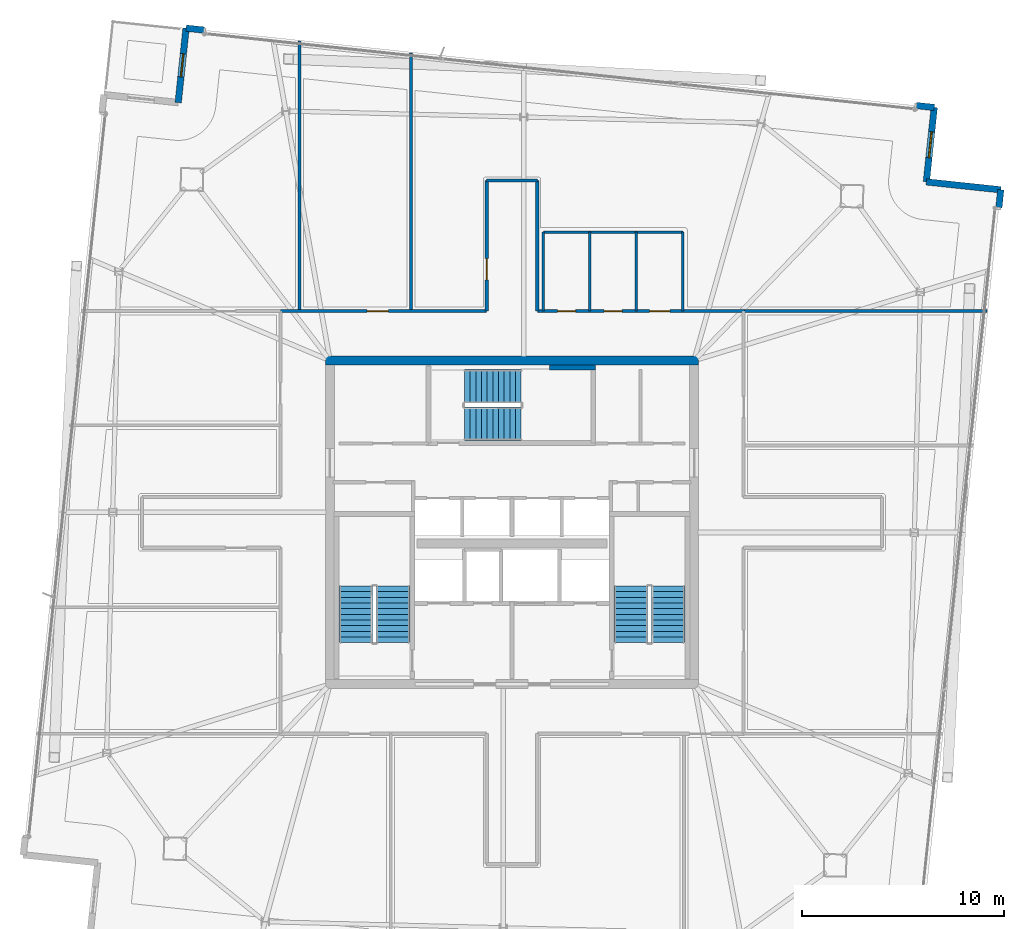
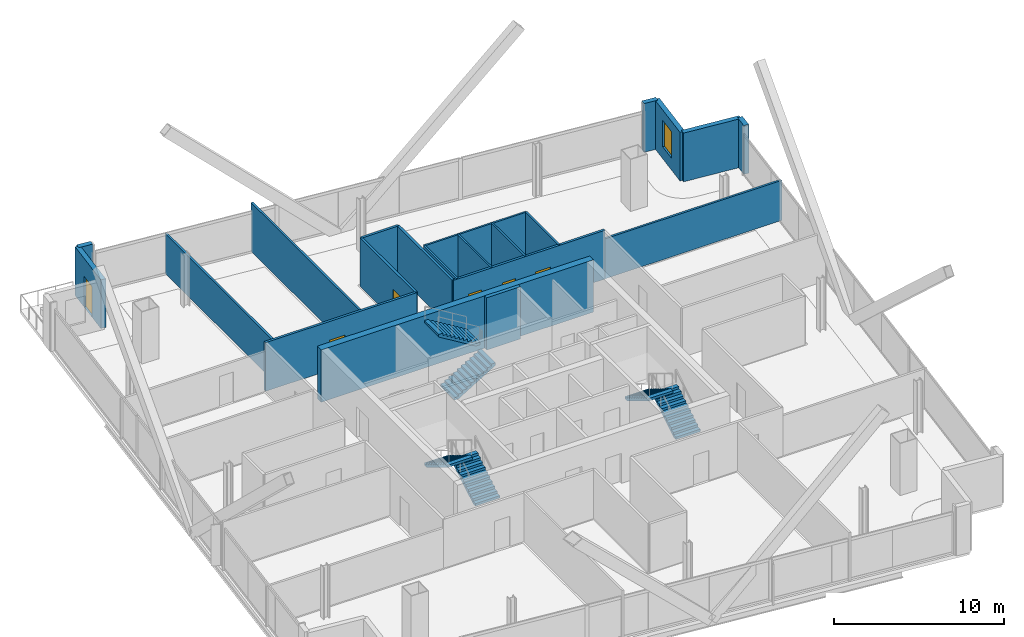
# One storey, part 21 of 24: 21 walls, 6 doors, 6 stair flights, 1 window, 7 openings, 3 elements without a shape of their own.
"""IFC4 building model written with IfcOpenShell, lengths in metres."""

from ifc_helpers import new_model, si_unit, direction, frame, frame_2d, origin, place, context, subcontext, project, spatial, polyline, rectangle, outline, extrude, material, layer, layer_set, type_object, element, fill, aggregate, save


model = new_model("IFC4")

# Units and contexts
model_context = context("Model", 3, precision=1e-05, world=origin(), true_north=direction((0.0, 1.0)))
body_context = subcontext(model_context, "Body", "Model", "MODEL_VIEW")
ifc_project = project(units=[si_unit("LENGTHUNIT", "METRE"), si_unit("AREAUNIT", "SQUARE_METRE"), si_unit("VOLUMEUNIT", "CUBIC_METRE"), si_unit("PLANEANGLEUNIT", "RADIAN"), si_unit("MASSUNIT", "GRAM", prefix="KILO")], contexts=[model_context])

# Site, building, storey
site_placement = place(None, origin())
site = spatial("IfcSite", under=ifc_project, at=site_placement, CompositionType="ELEMENT")
building_placement = place(site_placement, origin())
building = spatial("IfcBuilding", under=site, at=building_placement, Name="Haldenkirk Collegiate Tower", CompositionType="ELEMENT")
storey_placement = place(building_placement, frame((0.0, 0.0, 310.199951171875)))
storey = spatial("IfcBuildingStorey", under=building, at=storey_placement, Name="L78", CompositionType="ELEMENT", Elevation=310.199951171875)

# Walls
ifc_material_1 = material(Name="Concrete f'c 55 MPa", Category="concrete")
ifc_layer_1 = layer(ifc_material_1, 0.449951171875)
ifc_layer_set_1 = layer_set([ifc_layer_1], Name="Concrete f'c 55 MPa")
wall_type_1 = type_object("IfcWallType", Name="WL-CORE-450", PredefinedType="SHEAR", material=ifc_layer_set_1)
wall_1_placement = place(storey_placement, frame((26.77490234375, 34.0, 0.0), z_axis=(0.0, 0.0, 1.0), x_axis=(1.0, 0.0, 0.0)))
element("IfcWall", 1, at=wall_1_placement, inside=storey, type_object=wall_type_1, Name="L78 central core shear wall N", PredefinedType="SHEAR", context=body_context, shape_type="SweptSolid", body=[
    extrude(rectangle(XDim=18.4501953125, YDim=0.449951171875, at=frame_2d((9.22509765625, 0.0))), origin(), (0.0, 0.0, 1.0), 3.75),
])
ifc_material_2 = material(Name="Precast concrete f'c 40 MPa", Category="concrete")
ifc_layer_2 = layer(ifc_material_2, 0.320068359375)
ifc_layer_set_2 = layer_set([ifc_layer_2], Name="Precast concrete f'c 40 MPa")
wall_type_2 = type_object("IfcWallType", Name="WL-EXT-TWR-320", PredefinedType="STANDARD", material=ifc_layer_set_2)
wall_2_placement = place(storey_placement, frame((60.167724609375, 42.4443359375, 0.0), z_axis=(0.0, 0.0, 1.0), x_axis=(-0.10524958677, -0.994445837884, 0.0)))
element("IfcWall", 2, at=wall_2_placement, inside=storey, type_object=wall_type_2, Name="L78 precast corner pier SL", PredefinedType="STANDARD", context=body_context, shape_type="SweptSolid", body=[
    extrude(rectangle(XDim=0.89990234375, YDim=0.320068359375, at=frame_2d((0.449951171875, 0.0))), origin(), (0.0, 0.0, 1.0), 3.489990234375),
])
wall_3_placement = place(storey_placement, frame((56.48828125, 42.83447265625, 0.0), z_axis=(0.0, 0.0, 1.0), x_axis=(0.994425625033, -0.105440392064, 0.0)))
element("IfcWall", 3, at=wall_3_placement, inside=storey, type_object=wall_type_2, Name="L78 bronze precast notch wall 02", PredefinedType="STANDARD", context=body_context, shape_type="SweptSolid", body=[
    extrude(rectangle(XDim=3.699951171875, YDim=0.320068359375, at=frame_2d((1.85009765625, 0.0))), origin(), (0.0, 0.0, 1.0), 3.489990234375),
])

# Wall, opening, window
wall_4_placement = place(storey_placement, frame((56.87841796875, 46.513916015625, 0.0), z_axis=(0.0, 0.0, 1.0), x_axis=(-0.105440392064, -0.994425625033, 0.0)))
wall_4 = element("IfcWall", 4, at=wall_4_placement, inside=storey, type_object=wall_type_2, Name="L78 bronze precast notch wall 03", PredefinedType="STANDARD", context=body_context, shape_type="SweptSolid", body=[
    extrude(rectangle(XDim=3.699951171875, YDim=0.320068359375, at=frame_2d((1.85009765625, 0.0))), origin(), (0.0, 0.0, 1.0), 3.489990234375),
])
opening_1_placement = place(wall_4_placement, frame((1.199951171875, 0.0, 0.85009765625)))
opening_1 = element("IfcOpeningElement", 5, at=opening_1_placement, cuts=wall_4, Name="Opening W-08", PredefinedType="OPENING", context=body_context, shape_type="SweptSolid", body=[
    extrude(rectangle(XDim=1.300048828125, YDim=1.89990234375, at=frame_2d((0.64990234375, 0.949951171875))), frame((0.0, 0.169921875, 0.0), z_axis=(0.0, -1.0, 0.0), x_axis=(1.0, 0.0, 0.0)), (0.0, 0.0, 1.0), 0.340087890625),
])
ifc_material_3 = material(Name="Low-E argon triple insulating glass", Category="glass")
ifc_layer_3 = layer(ifc_material_3, 0.090087890625)
ifc_layer_set_3 = layer_set([ifc_layer_3], Name="Low-E argon triple insulating glass")
window_type = type_object("IfcWindowType", Name="WN-Z6-1300X1900", PartitioningType="SINGLE_PANEL", PredefinedType="WINDOW", material=ifc_layer_set_3)
window_placement = place(opening_1_placement, origin())
window = element("IfcWindow", 6, at=window_placement, inside=storey, type_object=window_type, Name="L78 precast-frame academic window 2", OverallHeight=1.89990234375, OverallWidth=1.300048828125, PartitioningType="SINGLE_PANEL", PredefinedType="WINDOW", context=body_context, shape_type="SweptSolid", body=[
    extrude(rectangle(XDim=1.300048828125, YDim=1.89990234375, at=frame_2d((0.64990234375, 0.949951171875))), frame((0.0, 0.030029296875, 0.0), z_axis=(0.0, -1.0, 0.0), x_axis=(1.0, 0.0, 0.0)), (0.0, 0.0, 1.0), 0.06005859375),
])
fill(opening_1, window)

# Walls
wall_5_placement = place(storey_placement, frame((19.885498046875, 50.4345703125, 0.0), z_axis=(0.0, 0.0, 1.0), x_axis=(0.994417410894, -0.105517832198, 0.0)))
element("IfcWall", 7, at=wall_5_placement, inside=storey, type_object=wall_type_2, Name="L78 precast corner pier EL", PredefinedType="STANDARD", context=body_context, shape_type="SweptSolid", body=[
    extrude(rectangle(XDim=0.900146484375, YDim=0.320068359375, at=frame_2d((0.4501953125, 0.0))), origin(), (0.0, 0.0, 1.0), 3.489990234375),
])
wall_6_placement = place(storey_placement, frame((55.9833984375, 46.608642578125, 0.0), z_axis=(0.0, 0.0, 1.0), x_axis=(0.994445837884, -0.10524958677, 0.0)))
element("IfcWall", 8, at=wall_6_placement, inside=storey, type_object=wall_type_2, Name="L78 precast corner pier ER", PredefinedType="STANDARD", context=body_context, shape_type="SweptSolid", body=[
    extrude(rectangle(XDim=0.89990234375, YDim=0.320068359375, at=frame_2d((0.449951171875, 0.0))), origin(), (0.0, 0.0, 1.0), 3.489990234375),
])

# Wall, opening, door
wall_7_placement = place(storey_placement, frame((19.49560546875, 46.755126953125, 0.0), z_axis=(0.0, 0.0, 1.0), x_axis=(0.105375142235, 0.994432541402, 0.0)))
wall_7 = element("IfcWall", 9, at=wall_7_placement, inside=storey, type_object=wall_type_2, Name="L78 bronze precast notch wall 05", PredefinedType="STANDARD", context=body_context, shape_type="SweptSolid", body=[
    extrude(rectangle(XDim=3.699951171875, YDim=0.320068359375, at=frame_2d((1.85009765625, 0.0))), origin(), (0.0, 0.0, 1.0), 3.489990234375),
])
opening_2_placement = place(wall_7_placement, frame((1.27490234375, 0.0, 0.0)))
opening_2 = element("IfcOpeningElement", 10, at=opening_2_placement, cuts=wall_7, Name="Opening D-ST11", PredefinedType="OPENING", context=body_context, shape_type="SweptSolid", body=[
    extrude(rectangle(XDim=1.14990234375, YDim=2.199951171875, at=frame_2d((0.574951171875, 1.10009765625))), frame((0.0, 0.169921875, 0.0), z_axis=(0.0, -1.0, 0.0), x_axis=(1.0, 0.0, 0.0)), (0.0, 0.0, 1.0), 0.340087890625),
])
ifc_material_4 = material(Name="Anodised architectural bronze aluminium", Category="aluminium")
ifc_layer_4 = layer(ifc_material_4, 0.080078125)
ifc_layer_set_4 = layer_set([ifc_layer_4], Name="Anodised architectural bronze aluminium")
door_type_1 = type_object("IfcDoorType", Name="DR-EXT-STER-1150", OperationType="NOTDEFINED", PredefinedType="DOOR", material=ifc_layer_set_4)
door_1_placement = place(opening_2_placement, origin())
door_1 = element("IfcDoor", 11, at=door_1_placement, inside=storey, type_object=door_type_1, Name="L78 spiralling terrace door", OperationType="SINGLE_SWING_LEFT", OverallHeight=2.199951171875, OverallWidth=1.14990234375, PredefinedType="DOOR", context=body_context, shape_type="SweptSolid", body=[
    extrude(rectangle(XDim=1.14990234375, YDim=2.199951171875, at=frame_2d((0.574951171875, 1.10009765625))), frame((0.0, 0.02490234375, 0.0), z_axis=(0.0, -1.0, 0.0), x_axis=(1.0, 0.0, 0.0)), (0.0, 0.0, 1.0), 0.050048828125),
])
fill(opening_2, door_1)

ifc_material_5 = material(Name="Acoustic fire-rated gypsum partition", Category="concrete")
ifc_layer_5 = layer(ifc_material_5, 0.159912109375)
ifc_layer_set_5 = layer_set([ifc_layer_5], Name="Acoustic fire-rated gypsum partition")
wall_type_3 = type_object("IfcWallType", Name="WL-INT-CORR-160", PredefinedType="PARTITIONING", material=ifc_layer_set_5)
wall_8_placement = place(storey_placement, frame((24.5, 36.449951171875, 0.0), z_axis=(0.0, 0.0, 1.0), x_axis=(1.0, 0.0, 0.0)))
wall_8 = element("IfcWall", 12, at=wall_8_placement, inside=storey, type_object=wall_type_3, Name="L78 interior partition IW-L78-CN1", PredefinedType="PARTITIONING", context=body_context, shape_type="SweptSolid", body=[
    extrude(rectangle(XDim=10.25, YDim=0.159912109375, at=frame_2d((5.125, 0.0))), origin(), (0.0, 0.0, 1.0), 3.489990234375),
])
opening_3_placement = place(wall_8_placement, frame((4.3349609375, 0.0, 0.0)))
opening_3 = element("IfcOpeningElement", 13, at=opening_3_placement, cuts=wall_8, Name="Opening D-09", PredefinedType="OPENING", context=body_context, shape_type="SweptSolid", body=[
    extrude(rectangle(XDim=1.050048828125, YDim=2.14990234375, at=frame_2d((0.52490234375, 1.074951171875))), frame((0.0, 0.08984375, 0.0), z_axis=(0.0, -1.0, 0.0), x_axis=(1.0, 0.0, 0.0)), (0.0, 0.0, 1.0), 0.179931640625),
])
ifc_material_6 = material(Name="Solid-core architectural oak fire door", Category="wood")
ifc_layer_6 = layer(ifc_material_6, 0.06005859375)
ifc_layer_set_6 = layer_set([ifc_layer_6], Name="Solid-core architectural oak fire door")
door_type_2 = type_object("IfcDoorType", Name="DR-INT-FD60-1050", OperationType="NOTDEFINED", PredefinedType="DOOR", material=ifc_layer_set_6)
door_2_placement = place(opening_3_placement, origin())
door_2 = element("IfcDoor", 14, at=door_2_placement, inside=storey, type_object=door_type_2, Name="L78 Colloquium Conference Room 5 door", OperationType="SINGLE_SWING_LEFT", OverallHeight=2.14990234375, OverallWidth=1.050048828125, PredefinedType="DOOR", context=body_context, shape_type="SweptSolid", body=[
    extrude(rectangle(XDim=1.050048828125, YDim=2.14990234375, at=frame_2d((0.52490234375, 1.074951171875))), frame((0.0, 0.02490234375, 0.0), z_axis=(0.0, -1.0, 0.0), x_axis=(1.0, 0.0, 0.0)), (0.0, 0.0, 1.0), 0.050048828125),
])
fill(opening_3, door_2)

# Wall, openings, doors
wall_9_placement = place(storey_placement, frame((37.25, 36.449951171875, 0.0), z_axis=(0.0, 0.0, 1.0), x_axis=(1.0, 0.0, 0.0)))
wall_9 = element("IfcWall", 15, at=wall_9_placement, inside=storey, type_object=wall_type_3, Name="L78 interior partition IW-L78-CN2", PredefinedType="PARTITIONING", context=body_context, shape_type="SweptSolid", body=[
    extrude(rectangle(XDim=10.25, YDim=0.159912109375, at=frame_2d((5.125, 0.0))), origin(), (0.0, 0.0, 1.0), 3.489990234375),
])
opening_4_placement = place(wall_9_placement, frame((1.0, 0.0, 0.0)))
opening_4 = element("IfcOpeningElement", 16, at=opening_4_placement, cuts=wall_9, Name="Opening D-13", PredefinedType="OPENING", context=body_context, shape_type="SweptSolid", body=[
    extrude(rectangle(XDim=0.89990234375, YDim=2.14990234375, at=frame_2d((0.449951171875, 1.074951171875))), frame((0.0, 0.08984375, 0.0), z_axis=(0.0, -1.0, 0.0), x_axis=(1.0, 0.0, 0.0)), (0.0, 0.0, 1.0), 0.179931640625),
])
opening_5_placement = place(wall_9_placement, frame((3.300048828125, 0.0, 0.0)))
opening_5 = element("IfcOpeningElement", 17, at=opening_5_placement, cuts=wall_9, Name="Opening D-13", PredefinedType="OPENING", context=body_context, shape_type="SweptSolid", body=[
    extrude(rectangle(XDim=0.89990234375, YDim=2.14990234375, at=frame_2d((0.449951171875, 1.074951171875))), frame((0.0, 0.08984375, 0.0), z_axis=(0.0, -1.0, 0.0), x_axis=(1.0, 0.0, 0.0)), (0.0, 0.0, 1.0), 0.179931640625),
])
opening_6_placement = place(wall_9_placement, frame((5.550048828125, 0.0, 0.0)))
opening_6 = element("IfcOpeningElement", 18, at=opening_6_placement, cuts=wall_9, Name="Opening D-14", PredefinedType="OPENING", context=body_context, shape_type="SweptSolid", body=[
    extrude(rectangle(XDim=1.0, YDim=2.14990234375, at=frame_2d((0.5, 1.074951171875))), frame((0.0, 0.08984375, 0.0), z_axis=(0.0, -1.0, 0.0), x_axis=(1.0, 0.0, 0.0)), (0.0, 0.0, 1.0), 0.179931640625),
])
ifc_layer_7 = layer(ifc_material_6, 0.06005859375)
ifc_layer_set_7 = layer_set([ifc_layer_7], Name="Solid-core architectural oak fire door")
door_type_3 = type_object("IfcDoorType", Name="DR-INT-ACC-1000", OperationType="NOTDEFINED", PredefinedType="DOOR", material=ifc_layer_set_7)
door_3_placement = place(opening_6_placement, origin())
door_3 = element("IfcDoor", 19, at=door_3_placement, inside=storey, type_object=door_type_3, Name="L78 Accessible WC door", OperationType="SINGLE_SWING_RIGHT", OverallHeight=2.14990234375, OverallWidth=1.0, PredefinedType="DOOR", context=body_context, shape_type="SweptSolid", body=[
    extrude(rectangle(XDim=1.0, YDim=2.14990234375, at=frame_2d((0.5, 1.074951171875))), frame((0.0, 0.02490234375, 0.0), z_axis=(0.0, -1.0, 0.0), x_axis=(1.0, 0.0, 0.0)), (0.0, 0.0, 1.0), 0.050048828125),
])
fill(opening_6, door_3)
ifc_layer_8 = layer(ifc_material_6, 0.06005859375)
ifc_layer_set_8 = layer_set([ifc_layer_8], Name="Solid-core architectural oak fire door")
door_type_4 = type_object("IfcDoorType", Name="DR-INT-STD-900", OperationType="NOTDEFINED", PredefinedType="DOOR", material=ifc_layer_set_8)
door_4_placement = place(opening_4_placement, origin())
door_4 = element("IfcDoor", 20, at=door_4_placement, inside=storey, type_object=door_type_4, Name="L78 Male WC door", OperationType="SINGLE_SWING_RIGHT", OverallHeight=2.14990234375, OverallWidth=0.89990234375, PredefinedType="DOOR", context=body_context, shape_type="SweptSolid", body=[
    extrude(rectangle(XDim=0.89990234375, YDim=2.14990234375, at=frame_2d((0.449951171875, 1.074951171875))), frame((0.0, 0.02490234375, 0.0), z_axis=(0.0, -1.0, 0.0), x_axis=(1.0, 0.0, 0.0)), (0.0, 0.0, 1.0), 0.050048828125),
])
fill(opening_4, door_4)
door_5_placement = place(opening_5_placement, origin())
door_5 = element("IfcDoor", 21, at=door_5_placement, inside=storey, type_object=door_type_4, Name="L78 Female WC door", OperationType="SINGLE_SWING_LEFT", OverallHeight=2.14990234375, OverallWidth=0.89990234375, PredefinedType="DOOR", context=body_context, shape_type="SweptSolid", body=[
    extrude(rectangle(XDim=0.89990234375, YDim=2.14990234375, at=frame_2d((0.449951171875, 1.074951171875))), frame((0.0, 0.02490234375, 0.0), z_axis=(0.0, -1.0, 0.0), x_axis=(1.0, 0.0, 0.0)), (0.0, 0.0, 1.0), 0.050048828125),
])
fill(opening_5, door_5)

# Wall, opening, door
wall_10_placement = place(storey_placement, frame((34.75, 36.449951171875, 0.0), z_axis=(0.0, 0.0, 1.0), x_axis=(0.0, 1.0, 0.0)))
wall_10 = element("IfcWall", 22, at=wall_10_placement, inside=storey, type_object=wall_type_3, Name="L78 interior partition IW-L78-NPW", PredefinedType="PARTITIONING", context=body_context, shape_type="SweptSolid", body=[
    extrude(rectangle(XDim=6.449951171875, YDim=0.159912109375, at=frame_2d((3.22509765625, 0.0))), origin(), (0.0, 0.0, 1.0), 3.489990234375),
])
opening_7_placement = place(wall_10_placement, frame((1.5390625, 0.0, 0.0)))
opening_7 = element("IfcOpeningElement", 23, at=opening_7_placement, cuts=wall_10, Name="Opening D-09", PredefinedType="OPENING", context=body_context, shape_type="SweptSolid", body=[
    extrude(rectangle(XDim=1.050048828125, YDim=2.14990234375, at=frame_2d((0.52490234375, 1.074951171875))), frame((0.0, 0.08984375, 0.0), z_axis=(0.0, -1.0, 0.0), x_axis=(1.0, 0.0, 0.0)), (0.0, 0.0, 1.0), 0.179931640625),
])
door_6_placement = place(opening_7_placement, origin())
door_6 = element("IfcDoor", 24, at=door_6_placement, inside=storey, type_object=door_type_2, Name="L78 Tutorial Seminar Room 6 door", OperationType="SINGLE_SWING_RIGHT", OverallHeight=2.14990234375, OverallWidth=1.050048828125, PredefinedType="DOOR", context=body_context, shape_type="SweptSolid", body=[
    extrude(rectangle(XDim=1.050048828125, YDim=2.14990234375, at=frame_2d((0.52490234375, 1.074951171875))), frame((0.0, 0.02490234375, 0.0), z_axis=(0.0, -1.0, 0.0), x_axis=(1.0, 0.0, 0.0)), (0.0, 0.0, 1.0), 0.050048828125),
])
fill(opening_7, door_6)

# Walls
wall_11_placement = place(storey_placement, frame((37.25, 36.449951171875, 0.0), z_axis=(0.0, 0.0, 1.0), x_axis=(0.0, 1.0, 0.0)))
element("IfcWall", 25, at=wall_11_placement, inside=storey, type_object=wall_type_3, Name="L78 interior partition IW-L78-NPE", PredefinedType="PARTITIONING", context=body_context, shape_type="SweptSolid", body=[
    extrude(rectangle(XDim=6.449951171875, YDim=0.159912109375, at=frame_2d((3.22509765625, 0.0))), origin(), (0.0, 0.0, 1.0), 3.489990234375),
])
wall_12_placement = place(storey_placement, frame((34.75, 42.89990234375, 0.0), z_axis=(0.0, 0.0, 1.0), x_axis=(1.0, 0.0, 0.0)))
element("IfcWall", 26, at=wall_12_placement, inside=storey, type_object=wall_type_3, Name="L78 interior partition IW-L78-NPN", PredefinedType="PARTITIONING", context=body_context, shape_type="SweptSolid", body=[
    extrude(rectangle(XDim=2.5, YDim=0.159912109375, at=frame_2d((1.25, 0.0))), origin(), (0.0, 0.0, 1.0), 3.489990234375),
])
ifc_layer_9 = layer(ifc_material_5, 0.139892578125)
ifc_layer_set_9 = layer_set([ifc_layer_9], Name="Acoustic fire-rated gypsum partition")
wall_type_4 = type_object("IfcWallType", Name="WL-INT-DIV-140", PredefinedType="PARTITIONING", material=ifc_layer_set_9)
wall_13_placement = place(storey_placement, frame((47.449951171875, 36.449951171875, 0.0), z_axis=(0.0, 0.0, 1.0), x_axis=(1.0, 0.0, 0.0)))
element("IfcWall", 27, at=wall_13_placement, inside=storey, type_object=wall_type_4, Name="L78 interior partition IW-L78-BEN", PredefinedType="PARTITIONING", context=body_context, shape_type="SweptSolid", body=[
    extrude(rectangle(XDim=12.042236328125, YDim=0.139892578125, at=frame_2d((6.02099609375, 0.0))), origin(), (0.0, 0.0, 1.0), 2.8681640625),
])
wall_14_placement = place(storey_placement, frame((25.5, 36.449951171875, 0.0), z_axis=(0.0, 0.0, 1.0), x_axis=(0.0, 1.0, 0.0)))
element("IfcWall", 28, at=wall_14_placement, inside=storey, type_object=wall_type_4, Name="L78 interior partition IW-L78-RN1", PredefinedType="PARTITIONING", context=body_context, shape_type="SweptSolid", body=[
    extrude(rectangle(XDim=13.349365234375, YDim=0.139892578125, at=frame_2d((6.6748046875, 0.0))), origin(), (0.0, 0.0, 1.0), 2.8681640625),
])
wall_15_placement = place(storey_placement, frame((31.0, 36.449951171875, 0.0), z_axis=(0.0, 0.0, 1.0), x_axis=(0.0, 1.0, 0.0)))
element("IfcWall", 29, at=wall_15_placement, inside=storey, type_object=wall_type_4, Name="L78 interior partition IW-L78-RN2", PredefinedType="PARTITIONING", context=body_context, shape_type="SweptSolid", body=[
    extrude(rectangle(XDim=12.766357421875, YDim=0.139892578125, at=frame_2d((6.38330078125, 0.0))), origin(), (0.0, 0.0, 1.0), 3.489990234375),
])
ifc_layer_10 = layer(ifc_material_5, 0.1201171875)
ifc_layer_set_10 = layer_set([ifc_layer_10], Name="Acoustic fire-rated gypsum partition")
wall_type_5 = type_object("IfcWallType", Name="WL-INT-WET-120", PredefinedType="PARTITIONING", material=ifc_layer_set_10)
for number, where, z_axis, x_axis, name in (
    (30, (37.550048828125, 36.449951171875, 0.0), (0.0, 0.0, 1.0), (0.0, 1.0, 0.0), "L78 interior partition IW-L78-WCW"),
    (31, (39.85009765625, 36.449951171875, 0.0), (0.0, 0.0, 1.0), (0.0, 1.0, 0.0), "L78 interior partition IW-L78-WC1"),
    (32, (42.14990234375, 36.449951171875, 0.0), (0.0, 0.0, 1.0), (0.0, 1.0, 0.0), "L78 interior partition IW-L78-WC2"),
    (33, (44.449951171875, 36.449951171875, 0.0), (0.0, 0.0, 1.0), (0.0, 1.0, 0.0), "L78 interior partition IW-L78-WCE"),
):
    element("IfcWall", number, at=place(storey_placement, frame(where, z_axis=z_axis, x_axis=x_axis)), inside=storey, type_object=wall_type_5, Name=name, PredefinedType="PARTITIONING", context=body_context, shape_type="SweptSolid", body=[
        extrude(rectangle(XDim=3.900146484375, YDim=0.1201171875, at=frame_2d((1.9501953125, 0.0))), origin(), (0.0, 0.0, 1.0), 3.489990234375),
    ])
wall_16_placement = place(storey_placement, frame((37.550048828125, 40.35009765625, 0.0), z_axis=(0.0, 0.0, 1.0), x_axis=(1.0, 0.0, 0.0)))
element("IfcWall", 34, at=wall_16_placement, inside=storey, type_object=wall_type_5, Name="L78 interior partition IW-L78-WCB", PredefinedType="PARTITIONING", context=body_context, shape_type="SweptSolid", body=[
    extrude(rectangle(XDim=6.89990234375, YDim=0.1201171875, at=frame_2d((3.449951171875, 0.0))), origin(), (0.0, 0.0, 1.0), 3.489990234375),
])
ifc_layer_11 = layer(ifc_material_1, 0.239990234375)
ifc_layer_set_11 = layer_set([ifc_layer_11], Name="Concrete f'c 55 MPa")
wall_type_6 = type_object("IfcWallType", Name="WL-SHAFT-240", PredefinedType="SHEAR", material=ifc_layer_set_11)
wall_17_placement = place(storey_placement, frame((37.85009765625, 33.659912109375, 0.0), z_axis=(0.0, 0.0, 1.0), x_axis=(1.0, 0.0, 0.0)))
element("IfcWall", 35, at=wall_17_placement, inside=storey, type_object=wall_type_6, Name="L78 stair shaft shear wall SW-L78-ST3N", PredefinedType="SHEAR", context=body_context, shape_type="SweptSolid", body=[
    extrude(rectangle(XDim=2.289794921875, YDim=0.239990234375, at=frame_2d((1.14501953125, 0.0))), origin(), (0.0, 0.0, 1.0), 3.75),
])

# Stair, stair flights
ifc_material_7 = material(Name="Concrete f'c 40 MPa", Category="concrete")
stair_type = type_object("IfcStairType", Name="STR-DOGLEG-1650", PredefinedType="HALF_TURN_STAIR", material=ifc_material_7)
stair_1_placement = place(storey_placement, origin())
stair_1 = element("IfcStair", 36, at=stair_1_placement, inside=storey, type_object=stair_type, Name="L78 Core Exit Stair ST-1", PredefinedType="HALF_TURN_STAIR")
stair_flight_type = type_object("IfcStairFlightType", Name="STF-FLIGHT-1650", PredefinedType="STRAIGHT", material=ifc_material_7)
stair_flight_1_placement = place(storey_placement, frame((30.125, 20.050048828125, 0.0), z_axis=(0.0, 0.0, 1.0), x_axis=(0.0, 1.0, 0.0)))
stair_flight_1 = element("IfcStairFlight", 37, at=stair_flight_1_placement, type_object=stair_flight_type, Name="ST-1 flight 1", NumberOfRisers=11, NumberOfTreads=10, PredefinedType="STRAIGHT", RiserHeight=0.170454545, TreadLength=0.28, context=body_context, shape_type="SweptSolid", body=[
    extrude(outline(polyline([(0.0, 0.0), (0.0, 0.17041015625), (0.280029296875, 0.17041015625), (0.280029296875, 0.3408203125), (0.56005859375, 0.3408203125), (0.56005859375, 0.511474609375), (0.840087890625, 0.511474609375), (0.840087890625, 0.681884765625), (1.1201171875, 0.681884765625), (1.1201171875, 0.852294921875), (1.39990234375, 0.852294921875), (1.39990234375, 1.022705078125), (1.679931640625, 1.022705078125), (1.679931640625, 1.193115234375), (1.9599609375, 1.193115234375), (1.9599609375, 1.363525390625), (2.239990234375, 1.363525390625), (2.239990234375, 1.5341796875), (2.52001953125, 1.5341796875), (2.52001953125, 1.70458984375), (2.800048828125, 1.70458984375), (2.800048828125, 1.875), (2.800048828125, 1.529052734375), (0.288330078125, 0.0), (0.0, 0.0)])), frame((0.0, 0.824951171875, 0.0), z_axis=(0.0, -1.0, 0.0), x_axis=(1.0, 0.0, 0.0)), (0.0, 0.0, 1.0), 1.64990234375),
])
stair_flight_2_placement = place(storey_placement, frame((28.27490234375, 22.85009765625, 1.875), z_axis=(0.0, 0.0, 1.0), x_axis=(0.0, -1.0, 0.0)))
stair_flight_2 = element("IfcStairFlight", 38, at=stair_flight_2_placement, type_object=stair_flight_type, Name="ST-1 flight 2", NumberOfRisers=11, NumberOfTreads=10, PredefinedType="STRAIGHT", RiserHeight=0.170454545, TreadLength=0.28, context=body_context, shape_type="SweptSolid", body=[
    extrude(outline(polyline([(0.0, 0.0), (0.0, 0.17041015625), (0.280029296875, 0.17041015625), (0.280029296875, 0.3408203125), (0.56005859375, 0.3408203125), (0.56005859375, 0.511474609375), (0.840087890625, 0.511474609375), (0.840087890625, 0.681884765625), (1.1201171875, 0.681884765625), (1.1201171875, 0.852294921875), (1.39990234375, 0.852294921875), (1.39990234375, 1.022705078125), (1.679931640625, 1.022705078125), (1.679931640625, 1.193115234375), (1.9599609375, 1.193115234375), (1.9599609375, 1.363525390625), (2.239990234375, 1.363525390625), (2.239990234375, 1.5341796875), (2.52001953125, 1.5341796875), (2.52001953125, 1.70458984375), (2.800048828125, 1.70458984375), (2.800048828125, 1.875), (2.800048828125, 1.529052734375), (0.288330078125, 0.0), (0.0, 0.0)])), frame((0.0, 0.824951171875, 0.0), z_axis=(0.0, -1.0, 0.0), x_axis=(1.0, 0.0, 0.0)), (0.0, 0.0, 1.0), 1.64990234375),
])
aggregate(stair_1, [stair_flight_1, stair_flight_2])

stair_2_placement = place(storey_placement, origin())
stair_2 = element("IfcStair", 39, at=stair_2_placement, inside=storey, type_object=stair_type, Name="L78 Core Exit Stair ST-2", PredefinedType="HALF_TURN_STAIR")
stair_flight_3_placement = place(storey_placement, frame((43.72509765625, 20.050048828125, 0.0), z_axis=(0.0, 0.0, 1.0), x_axis=(0.0, 1.0, 0.0)))
stair_flight_3 = element("IfcStairFlight", 40, at=stair_flight_3_placement, type_object=stair_flight_type, Name="ST-2 flight 1", NumberOfRisers=11, NumberOfTreads=10, PredefinedType="STRAIGHT", RiserHeight=0.170454545, TreadLength=0.28, context=body_context, shape_type="SweptSolid", body=[
    extrude(outline(polyline([(0.0, 0.0), (0.0, 0.17041015625), (0.280029296875, 0.17041015625), (0.280029296875, 0.3408203125), (0.56005859375, 0.3408203125), (0.56005859375, 0.511474609375), (0.840087890625, 0.511474609375), (0.840087890625, 0.681884765625), (1.1201171875, 0.681884765625), (1.1201171875, 0.852294921875), (1.39990234375, 0.852294921875), (1.39990234375, 1.022705078125), (1.679931640625, 1.022705078125), (1.679931640625, 1.193115234375), (1.9599609375, 1.193115234375), (1.9599609375, 1.363525390625), (2.239990234375, 1.363525390625), (2.239990234375, 1.5341796875), (2.52001953125, 1.5341796875), (2.52001953125, 1.70458984375), (2.800048828125, 1.70458984375), (2.800048828125, 1.875), (2.800048828125, 1.529052734375), (0.288330078125, 0.0), (0.0, 0.0)])), frame((0.0, 0.824951171875, 0.0), z_axis=(0.0, -1.0, 0.0), x_axis=(1.0, 0.0, 0.0)), (0.0, 0.0, 1.0), 1.64990234375),
])
stair_flight_4_placement = place(storey_placement, frame((41.875, 22.85009765625, 1.875), z_axis=(0.0, 0.0, 1.0), x_axis=(0.0, -1.0, 0.0)))
stair_flight_4 = element("IfcStairFlight", 41, at=stair_flight_4_placement, type_object=stair_flight_type, Name="ST-2 flight 2", NumberOfRisers=11, NumberOfTreads=10, PredefinedType="STRAIGHT", RiserHeight=0.170454545, TreadLength=0.28, context=body_context, shape_type="SweptSolid", body=[
    extrude(outline(polyline([(0.0, 0.0), (0.0, 0.17041015625), (0.280029296875, 0.17041015625), (0.280029296875, 0.3408203125), (0.56005859375, 0.3408203125), (0.56005859375, 0.511474609375), (0.840087890625, 0.511474609375), (0.840087890625, 0.681884765625), (1.1201171875, 0.681884765625), (1.1201171875, 0.852294921875), (1.39990234375, 0.852294921875), (1.39990234375, 1.022705078125), (1.679931640625, 1.022705078125), (1.679931640625, 1.193115234375), (1.9599609375, 1.193115234375), (1.9599609375, 1.363525390625), (2.239990234375, 1.363525390625), (2.239990234375, 1.5341796875), (2.52001953125, 1.5341796875), (2.52001953125, 1.70458984375), (2.800048828125, 1.70458984375), (2.800048828125, 1.875), (2.800048828125, 1.529052734375), (0.288330078125, 0.0), (0.0, 0.0)])), frame((0.0, 0.824951171875, 0.0), z_axis=(0.0, -1.0, 0.0), x_axis=(1.0, 0.0, 0.0)), (0.0, 0.0, 1.0), 1.64990234375),
])
aggregate(stair_2, [stair_flight_3, stair_flight_4])

stair_3_placement = place(storey_placement, origin())
stair_3 = element("IfcStair", 42, at=stair_3_placement, inside=storey, type_object=stair_type, Name="L78 Core Exit Stair ST-3", PredefinedType="HALF_TURN_STAIR")
stair_flight_5_placement = place(storey_placement, frame((33.64990234375, 30.875, 0.0), z_axis=(0.0, 0.0, 1.0), x_axis=(1.0, 0.0, 0.0)))
stair_flight_5 = element("IfcStairFlight", 43, at=stair_flight_5_placement, type_object=stair_flight_type, Name="ST-3 flight 1", NumberOfRisers=11, NumberOfTreads=10, PredefinedType="STRAIGHT", RiserHeight=0.170454545, TreadLength=0.28, context=body_context, shape_type="SweptSolid", body=[
    extrude(outline(polyline([(0.0, 0.0), (0.0, 0.17041015625), (0.280029296875, 0.17041015625), (0.280029296875, 0.3408203125), (0.56005859375, 0.3408203125), (0.56005859375, 0.511474609375), (0.840087890625, 0.511474609375), (0.840087890625, 0.681884765625), (1.1201171875, 0.681884765625), (1.1201171875, 0.852294921875), (1.39990234375, 0.852294921875), (1.39990234375, 1.022705078125), (1.679931640625, 1.022705078125), (1.679931640625, 1.193115234375), (1.9599609375, 1.193115234375), (1.9599609375, 1.363525390625), (2.239990234375, 1.363525390625), (2.239990234375, 1.5341796875), (2.52001953125, 1.5341796875), (2.52001953125, 1.70458984375), (2.800048828125, 1.70458984375), (2.800048828125, 1.875), (2.800048828125, 1.529052734375), (0.288330078125, 0.0), (0.0, 0.0)])), frame((0.0, 0.824951171875, 0.0), z_axis=(0.0, -1.0, 0.0), x_axis=(1.0, 0.0, 0.0)), (0.0, 0.0, 1.0), 1.64990234375),
])
stair_flight_6_placement = place(storey_placement, frame((36.449951171875, 32.72509765625, 1.875), z_axis=(0.0, 0.0, 1.0), x_axis=(-1.0, 0.0, 0.0)))
stair_flight_6 = element("IfcStairFlight", 44, at=stair_flight_6_placement, type_object=stair_flight_type, Name="ST-3 flight 2", NumberOfRisers=11, NumberOfTreads=10, PredefinedType="STRAIGHT", RiserHeight=0.170454545, TreadLength=0.28, context=body_context, shape_type="SweptSolid", body=[
    extrude(outline(polyline([(0.0, 0.0), (0.0, 0.17041015625), (0.280029296875, 0.17041015625), (0.280029296875, 0.3408203125), (0.56005859375, 0.3408203125), (0.56005859375, 0.511474609375), (0.840087890625, 0.511474609375), (0.840087890625, 0.681884765625), (1.1201171875, 0.681884765625), (1.1201171875, 0.852294921875), (1.39990234375, 0.852294921875), (1.39990234375, 1.022705078125), (1.679931640625, 1.022705078125), (1.679931640625, 1.193115234375), (1.9599609375, 1.193115234375), (1.9599609375, 1.363525390625), (2.239990234375, 1.363525390625), (2.239990234375, 1.5341796875), (2.52001953125, 1.5341796875), (2.52001953125, 1.70458984375), (2.800048828125, 1.70458984375), (2.800048828125, 1.875), (2.800048828125, 1.529052734375), (0.288330078125, 0.0), (0.0, 0.0)])), frame((0.0, 0.824951171875, 0.0), z_axis=(0.0, -1.0, 0.0), x_axis=(1.0, 0.0, 0.0)), (0.0, 0.0, 1.0), 1.64990234375),
])
aggregate(stair_3, [stair_flight_5, stair_flight_6])

save(model, "model.ifc")
